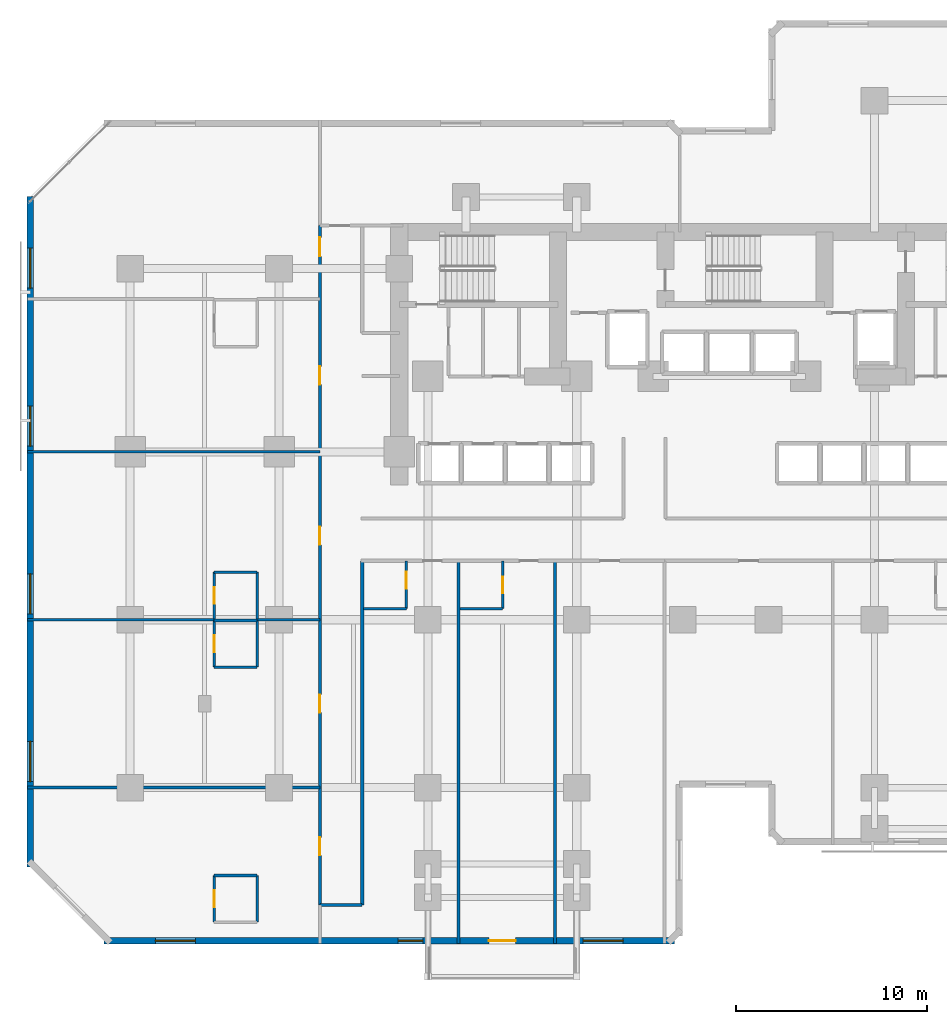
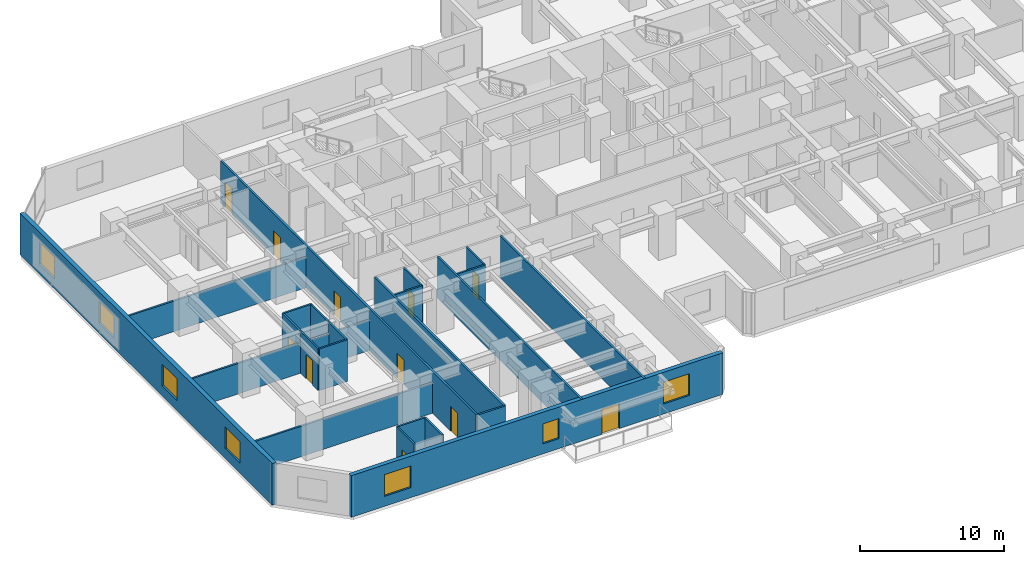
# One storey, part 5 of 12: 25 walls, 11 doors, 7 windows, 18 openings.
"""IFC4 building model written with IfcOpenShell, lengths in metres."""

from ifc_helpers import new_model, si_unit, direction, frame, frame_2d, origin, place, context, subcontext, project, spatial, rectangle, extrude, material, layer, layer_set, type_object, element, fill, save


model = new_model("IFC4")

# Units and contexts
model_context = context("Model", 3, precision=1e-05, world=origin(), true_north=direction((0.0, 1.0)))
body_context = subcontext(model_context, "Body", "Model", "MODEL_VIEW")
ifc_project = project(units=[si_unit("LENGTHUNIT", "METRE"), si_unit("AREAUNIT", "SQUARE_METRE"), si_unit("VOLUMEUNIT", "CUBIC_METRE"), si_unit("PLANEANGLEUNIT", "RADIAN"), si_unit("MASSUNIT", "GRAM", prefix="KILO")], contexts=[model_context])

# Site, building, storey
site_placement = place(None, origin())
site = spatial("IfcSite", under=ifc_project, at=site_placement, CompositionType="ELEMENT")
building_placement = place(site_placement, origin())
building = spatial("IfcBuilding", under=site, at=building_placement, Name="Kestravale Grand Hotel", CompositionType="ELEMENT")
storey_placement = place(building_placement, frame((0.0, 0.0, 56.39990234375)))
storey = spatial("IfcBuildingStorey", under=building, at=storey_placement, Name="L13", CompositionType="ELEMENT", Elevation=56.39990234375)

# Wall, openings, door, windows
ifc_material_1 = material(Name="Precast concrete f'c 45 MPa", Category="concrete")
ifc_layer_1 = layer(ifc_material_1, 0.340087890625)
ifc_layer_set_1 = layer_set([ifc_layer_1], Name="EW-PREC-340")
wall_type_1 = type_object("IfcWallType", Name="EW-PREC-340", PredefinedType="SOLIDWALL", material=ifc_layer_set_1)
wall_1_placement = place(storey_placement, frame((6.429931640625, 3.169921875, 0.0), z_axis=(0.0, 0.0, 1.0), x_axis=(1.0, 0.0, 0.0)))
wall_1 = element("IfcWall", 1, at=wall_1_placement, inside=storey, type_object=wall_type_1, Name="L13 fluted precast facade wall 1", PredefinedType="SOLIDWALL", context=body_context, shape_type="SweptSolid", body=[
    extrude(rectangle(XDim=29.89013671875, YDim=0.340087890625, at=frame_2d((14.945068359375, 0.0))), origin(), (0.0, 0.0, 1.0), 3.5400390625),
])
opening_1_placement = place(wall_1_placement, frame((20.169921875, 0.0, 0.0)))
opening_1 = element("IfcOpeningElement", 2, at=opening_1_placement, cuts=wall_1, Name="Opening D-TERR-1400", PredefinedType="OPENING", context=body_context, shape_type="SweptSolid", body=[
    extrude(rectangle(XDim=1.39990234375, YDim=2.14990234375, at=frame_2d((0.699951171875, 1.074951171875))), frame((0.0, 0.179931640625, 0.0), z_axis=(0.0, -1.0, 0.0), x_axis=(1.0, 0.0, 0.0)), (0.0, 0.0, 1.0), 0.360107421875),
])
opening_2_placement = place(wall_1_placement, frame((2.686279296875, 0.0, 0.85009765625)))
opening_2 = element("IfcOpeningElement", 3, at=opening_2_placement, cuts=wall_1, Name="Opening W-GUEST-2100", PredefinedType="OPENING", context=body_context, shape_type="SweptSolid", body=[
    extrude(rectangle(XDim=2.10009765625, YDim=1.85009765625, at=frame_2d((1.050048828125, 0.925048828125))), frame((0.0, 0.179931640625, 0.0), z_axis=(0.0, -1.0, 0.0), x_axis=(1.0, 0.0, 0.0)), (0.0, 0.0, 1.0), 0.360107421875),
])
opening_3_placement = place(wall_1_placement, frame((25.103759765625, 0.0, 0.85009765625)))
opening_3 = element("IfcOpeningElement", 4, at=opening_3_placement, cuts=wall_1, Name="Opening W-GUEST-2100", PredefinedType="OPENING", context=body_context, shape_type="SweptSolid", body=[
    extrude(rectangle(XDim=2.10009765625, YDim=1.85009765625, at=frame_2d((1.050048828125, 0.925048828125))), frame((0.0, 0.179931640625, 0.0), z_axis=(0.0, -1.0, 0.0), x_axis=(1.0, 0.0, 0.0)), (0.0, 0.0, 1.0), 0.360107421875),
])
opening_4_placement = place(wall_1_placement, frame((15.405029296875, 0.0, 0.85009765625)))
opening_4 = element("IfcOpeningElement", 5, at=opening_4_placement, cuts=wall_1, Name="Opening W-GUEST-1300", PredefinedType="OPENING", context=body_context, shape_type="SweptSolid", body=[
    extrude(rectangle(XDim=1.300048828125, YDim=1.699951171875, at=frame_2d((0.64990234375, 0.85009765625))), frame((0.0, 0.179931640625, 0.0), z_axis=(0.0, -1.0, 0.0), x_axis=(1.0, 0.0, 0.0)), (0.0, 0.0, 1.0), 0.360107421875),
])
ifc_material_2 = material(Name="Insulated glazed champagne-bronze aluminium door", Category="aluminium")
door_type_1 = type_object("IfcDoorType", Name="D-TERR-1400", OperationType="NOTDEFINED", PredefinedType="DOOR", material=ifc_material_2)
door_1_placement = place(opening_1_placement, origin())
door_1 = element("IfcDoor", 6, at=door_1_placement, inside=storey, type_object=door_type_1, Name="L13 outdoor garden terrace door", OperationType="DOUBLE_DOOR_SINGLE_SWING", OverallHeight=2.14990234375, OverallWidth=1.39990234375, PredefinedType="DOOR", context=body_context, shape_type="SweptSolid", body=[
    extrude(rectangle(XDim=1.39990234375, YDim=2.14990234375, at=frame_2d((0.699951171875, 1.074951171875))), frame((0.0, 0.02490234375, 0.0), z_axis=(0.0, -1.0, 0.0), x_axis=(1.0, 0.0, 0.0)), (0.0, 0.0, 1.0), 0.050048828125),
])
fill(opening_1, door_1)
ifc_material_3 = material(Name="Insulated low-E double glazing in aluminium frame", Category="aluminium")
window_type_1 = type_object("IfcWindowType", Name="W-GUEST-1300", PartitioningType="SINGLE_PANEL", PredefinedType="WINDOW", material=ifc_material_3)
window_1_placement = place(opening_4_placement, origin())
window_1 = element("IfcWindow", 7, at=window_1_placement, inside=storey, type_object=window_type_1, Name="L13 guestroom envelope window 1", OverallHeight=1.699951171875, OverallWidth=1.300048828125, PartitioningType="SINGLE_PANEL", PredefinedType="WINDOW", context=body_context, shape_type="SweptSolid", body=[
    extrude(rectangle(XDim=1.300048828125, YDim=1.699951171875, at=frame_2d((0.64990234375, 0.85009765625))), frame((0.0, 0.030029296875, 0.0), z_axis=(0.0, -1.0, 0.0), x_axis=(1.0, 0.0, 0.0)), (0.0, 0.0, 1.0), 0.06005859375),
])
fill(opening_4, window_1)
ifc_material_4 = material(Name="Insulated low-E double glazing in aluminium frame", Category="aluminium")
window_type_2 = type_object("IfcWindowType", Name="W-GUEST-2100", PartitioningType="DOUBLE_PANEL_VERTICAL", PredefinedType="WINDOW", material=ifc_material_4)
window_2_placement = place(opening_2_placement, origin())
window_2 = element("IfcWindow", 8, at=window_2_placement, inside=storey, type_object=window_type_2, Name="L13 exterior window 1.1", OverallHeight=1.85009765625, OverallWidth=2.10009765625, PartitioningType="SINGLE_PANEL", PredefinedType="WINDOW", context=body_context, shape_type="SweptSolid", body=[
    extrude(rectangle(XDim=2.10009765625, YDim=1.85009765625, at=frame_2d((1.050048828125, 0.925048828125))), frame((0.0, 0.030029296875, 0.0), z_axis=(0.0, -1.0, 0.0), x_axis=(1.0, 0.0, 0.0)), (0.0, 0.0, 1.0), 0.06005859375),
])
fill(opening_2, window_2)
window_3_placement = place(opening_3_placement, origin())
window_3 = element("IfcWindow", 9, at=window_3_placement, inside=storey, type_object=window_type_2, Name="L13 exterior window 1.2", OverallHeight=1.85009765625, OverallWidth=2.10009765625, PartitioningType="SINGLE_PANEL", PredefinedType="WINDOW", context=body_context, shape_type="SweptSolid", body=[
    extrude(rectangle(XDim=2.10009765625, YDim=1.85009765625, at=frame_2d((1.050048828125, 0.925048828125))), frame((0.0, 0.030029296875, 0.0), z_axis=(0.0, -1.0, 0.0), x_axis=(1.0, 0.0, 0.0)), (0.0, 0.0, 1.0), 0.06005859375),
])
fill(opening_3, window_3)

# Wall, openings, windows
wall_2_placement = place(storey_placement, frame((2.570068359375, 42.169921875, 0.0), z_axis=(0.0, 0.0, 1.0), x_axis=(0.0, -1.0, 0.0)))
wall_2 = element("IfcWall", 10, at=wall_2_placement, inside=storey, type_object=wall_type_1, Name="L13 fluted precast facade wall 19", PredefinedType="SOLIDWALL", context=body_context, shape_type="SweptSolid", body=[
    extrude(rectangle(XDim=35.139892578125, YDim=0.340087890625, at=frame_2d((17.56982421875, 0.0))), origin(), (0.0, 0.0, 1.0), 3.5400390625),
])
opening_5_placement = place(wall_2_placement, frame((2.6923828125, 0.0, 0.85009765625)))
opening_5 = element("IfcOpeningElement", 11, at=opening_5_placement, cuts=wall_2, Name="Opening W-GUEST-2100", PredefinedType="OPENING", context=body_context, shape_type="SweptSolid", body=[
    extrude(rectangle(XDim=2.10009765625, YDim=1.85009765625, at=frame_2d((1.050048828125, 0.925048828125))), frame((0.0, 0.179931640625, 0.0), z_axis=(0.0, -1.0, 0.0), x_axis=(1.0, 0.0, 0.0)), (0.0, 0.0, 1.0), 0.360107421875),
])
opening_6_placement = place(wall_2_placement, frame((10.9775390625, 0.0, 0.85009765625)))
opening_6 = element("IfcOpeningElement", 12, at=opening_6_placement, cuts=wall_2, Name="Opening W-GUEST-2100", PredefinedType="OPENING", context=body_context, shape_type="SweptSolid", body=[
    extrude(rectangle(XDim=2.10009765625, YDim=1.85009765625, at=frame_2d((1.050048828125, 0.925048828125))), frame((0.0, 0.179931640625, 0.0), z_axis=(0.0, -1.0, 0.0), x_axis=(1.0, 0.0, 0.0)), (0.0, 0.0, 1.0), 0.360107421875),
])
opening_7_placement = place(wall_2_placement, frame((19.762451171875, 0.0, 0.85009765625)))
opening_7 = element("IfcOpeningElement", 13, at=opening_7_placement, cuts=wall_2, Name="Opening W-GUEST-2100", PredefinedType="OPENING", context=body_context, shape_type="SweptSolid", body=[
    extrude(rectangle(XDim=2.10009765625, YDim=1.85009765625, at=frame_2d((1.050048828125, 0.925048828125))), frame((0.0, 0.179931640625, 0.0), z_axis=(0.0, -1.0, 0.0), x_axis=(1.0, 0.0, 0.0)), (0.0, 0.0, 1.0), 0.360107421875),
])
opening_8_placement = place(wall_2_placement, frame((28.547607421875, 0.0, 0.85009765625)))
opening_8 = element("IfcOpeningElement", 14, at=opening_8_placement, cuts=wall_2, Name="Opening W-GUEST-2100", PredefinedType="OPENING", context=body_context, shape_type="SweptSolid", body=[
    extrude(rectangle(XDim=2.10009765625, YDim=1.85009765625, at=frame_2d((1.050048828125, 0.925048828125))), frame((0.0, 0.179931640625, 0.0), z_axis=(0.0, -1.0, 0.0), x_axis=(1.0, 0.0, 0.0)), (0.0, 0.0, 1.0), 0.360107421875),
])
window_4_placement = place(opening_5_placement, origin())
window_4 = element("IfcWindow", 15, at=window_4_placement, inside=storey, type_object=window_type_2, Name="L13 exterior window 19.1", OverallHeight=1.85009765625, OverallWidth=2.10009765625, PartitioningType="SINGLE_PANEL", PredefinedType="WINDOW", context=body_context, shape_type="SweptSolid", body=[
    extrude(rectangle(XDim=2.10009765625, YDim=1.85009765625, at=frame_2d((1.050048828125, 0.925048828125))), frame((0.0, 0.030029296875, 0.0), z_axis=(0.0, -1.0, 0.0), x_axis=(1.0, 0.0, 0.0)), (0.0, 0.0, 1.0), 0.06005859375),
])
fill(opening_5, window_4)
window_5_placement = place(opening_6_placement, origin())
window_5 = element("IfcWindow", 16, at=window_5_placement, inside=storey, type_object=window_type_2, Name="L13 exterior window 19.2", OverallHeight=1.85009765625, OverallWidth=2.10009765625, PartitioningType="SINGLE_PANEL", PredefinedType="WINDOW", context=body_context, shape_type="SweptSolid", body=[
    extrude(rectangle(XDim=2.10009765625, YDim=1.85009765625, at=frame_2d((1.050048828125, 0.925048828125))), frame((0.0, 0.030029296875, 0.0), z_axis=(0.0, -1.0, 0.0), x_axis=(1.0, 0.0, 0.0)), (0.0, 0.0, 1.0), 0.06005859375),
])
fill(opening_6, window_5)
window_6_placement = place(opening_7_placement, origin())
window_6 = element("IfcWindow", 17, at=window_6_placement, inside=storey, type_object=window_type_2, Name="L13 exterior window 19.3", OverallHeight=1.85009765625, OverallWidth=2.10009765625, PartitioningType="SINGLE_PANEL", PredefinedType="WINDOW", context=body_context, shape_type="SweptSolid", body=[
    extrude(rectangle(XDim=2.10009765625, YDim=1.85009765625, at=frame_2d((1.050048828125, 0.925048828125))), frame((0.0, 0.030029296875, 0.0), z_axis=(0.0, -1.0, 0.0), x_axis=(1.0, 0.0, 0.0)), (0.0, 0.0, 1.0), 0.06005859375),
])
fill(opening_7, window_6)
window_7_placement = place(opening_8_placement, origin())
window_7 = element("IfcWindow", 18, at=window_7_placement, inside=storey, type_object=window_type_2, Name="L13 exterior window 19.4", OverallHeight=1.85009765625, OverallWidth=2.10009765625, PartitioningType="SINGLE_PANEL", PredefinedType="WINDOW", context=body_context, shape_type="SweptSolid", body=[
    extrude(rectangle(XDim=2.10009765625, YDim=1.85009765625, at=frame_2d((1.050048828125, 0.925048828125))), frame((0.0, 0.030029296875, 0.0), z_axis=(0.0, -1.0, 0.0), x_axis=(1.0, 0.0, 0.0)), (0.0, 0.0, 1.0), 0.06005859375),
])
fill(opening_8, window_7)

# Wall, openings, doors
ifc_material_5 = material(Name="Acoustic fire-rated gypsum board partition", Category="other")
ifc_layer_2 = layer(ifc_material_5, 0.159912109375)
ifc_layer_set_2 = layer_set([ifc_layer_2], Name="IW-CORR-160")
wall_type_2 = type_object("IfcWallType", Name="IW-CORR-160", PredefinedType="PARTITIONING", material=ifc_layer_set_2)
wall_3_placement = place(storey_placement, frame((17.739990234375, 5.050048828125, 0.0), z_axis=(0.0, 0.0, 1.0), x_axis=(0.0, 1.0, 0.0)))
wall_3 = element("IfcWall", 19, at=wall_3_placement, inside=storey, type_object=wall_type_2, Name="W-L13-SW-W", PredefinedType="PARTITIONING", context=body_context, shape_type="SweptSolid", body=[
    extrude(rectangle(XDim=35.599853515625, YDim=0.159912109375, at=frame_2d((17.7998046875, 0.0))), origin(), (0.0, 0.0, 1.0), 3.5400390625),
])
opening_9_placement = place(wall_3_placement, frame((2.60009765625, 0.0, 0.0)))
opening_9 = element("IfcOpeningElement", 20, at=opening_9_placement, cuts=wall_3, Name="Opening D-GUEST-950", PredefinedType="OPENING", context=body_context, shape_type="SweptSolid", body=[
    extrude(rectangle(XDim=0.949951171875, YDim=2.10009765625, at=frame_2d((0.47509765625, 1.050048828125))), frame((0.0, 0.08984375, 0.0), z_axis=(0.0, -1.0, 0.0), x_axis=(1.0, 0.0, 0.0)), (0.0, 0.0, 1.0), 0.179931640625),
])
opening_10_placement = place(wall_3_placement, frame((10.074951171875, 0.0, 0.0)))
opening_10 = element("IfcOpeningElement", 21, at=opening_10_placement, cuts=wall_3, Name="Opening D-GUEST-950", PredefinedType="OPENING", context=body_context, shape_type="SweptSolid", body=[
    extrude(rectangle(XDim=0.949951171875, YDim=2.10009765625, at=frame_2d((0.47509765625, 1.050048828125))), frame((0.0, 0.08984375, 0.0), z_axis=(0.0, -1.0, 0.0), x_axis=(1.0, 0.0, 0.0)), (0.0, 0.0, 1.0), 0.179931640625),
])
opening_11_placement = place(wall_3_placement, frame((18.875, 0.0, 0.0)))
opening_11 = element("IfcOpeningElement", 22, at=opening_11_placement, cuts=wall_3, Name="Opening D-GUEST-950", PredefinedType="OPENING", context=body_context, shape_type="SweptSolid", body=[
    extrude(rectangle(XDim=0.949951171875, YDim=2.10009765625, at=frame_2d((0.47509765625, 1.050048828125))), frame((0.0, 0.08984375, 0.0), z_axis=(0.0, -1.0, 0.0), x_axis=(1.0, 0.0, 0.0)), (0.0, 0.0, 1.0), 0.179931640625),
])
opening_12_placement = place(wall_3_placement, frame((27.27490234375, 0.0, 0.0)))
opening_12 = element("IfcOpeningElement", 23, at=opening_12_placement, cuts=wall_3, Name="Opening D-GUEST-950", PredefinedType="OPENING", context=body_context, shape_type="SweptSolid", body=[
    extrude(rectangle(XDim=0.949951171875, YDim=2.10009765625, at=frame_2d((0.47509765625, 1.050048828125))), frame((0.0, 0.08984375, 0.0), z_axis=(0.0, -1.0, 0.0), x_axis=(1.0, 0.0, 0.0)), (0.0, 0.0, 1.0), 0.179931640625),
])
opening_13_placement = place(wall_3_placement, frame((33.985595703125, 0.0, 0.0)))
opening_13 = element("IfcOpeningElement", 24, at=opening_13_placement, cuts=wall_3, Name="Opening D-GUEST-1000", PredefinedType="OPENING", context=body_context, shape_type="SweptSolid", body=[
    extrude(rectangle(XDim=1.0, YDim=2.14990234375, at=frame_2d((0.5, 1.074951171875))), frame((0.0, 0.08984375, 0.0), z_axis=(0.0, -1.0, 0.0), x_axis=(1.0, 0.0, 0.0)), (0.0, 0.0, 1.0), 0.179931640625),
])
ifc_material_6 = material(Name="Accessible walnut veneer hotel entrance fire door", Category="wood")
door_type_2 = type_object("IfcDoorType", Name="D-GUEST-1000", OperationType="NOTDEFINED", PredefinedType="DOOR", material=ifc_material_6)
door_2_placement = place(opening_13_placement, origin())
door_2 = element("IfcDoor", 25, at=door_2_placement, inside=storey, type_object=door_type_2, Name="D-L13-AMWW", OperationType="SINGLE_SWING_LEFT", OverallHeight=2.14990234375, OverallWidth=1.0, PredefinedType="DOOR", context=body_context, shape_type="SweptSolid", body=[
    extrude(rectangle(XDim=1.0, YDim=2.14990234375, at=frame_2d((0.5, 1.074951171875))), frame((0.0, 0.02490234375, 0.0), z_axis=(0.0, -1.0, 0.0), x_axis=(1.0, 0.0, 0.0)), (0.0, 0.0, 1.0), 0.050048828125),
])
fill(opening_13, door_2)
ifc_material_7 = material(Name="Walnut veneer hotel guestroom entrance fire door", Category="wood")
door_type_3 = type_object("IfcDoorType", Name="D-GUEST-950", OperationType="NOTDEFINED", PredefinedType="DOOR", material=ifc_material_7)
door_3_placement = place(opening_9_placement, origin())
door_3 = element("IfcDoor", 26, at=door_3_placement, inside=storey, type_object=door_type_3, Name="D-L13-U05-ENT", OperationType="SINGLE_SWING_RIGHT", OverallHeight=2.10009765625, OverallWidth=0.949951171875, PredefinedType="DOOR", context=body_context, shape_type="SweptSolid", body=[
    extrude(rectangle(XDim=0.949951171875, YDim=2.10009765625, at=frame_2d((0.47509765625, 1.050048828125))), frame((0.0, 0.02490234375, 0.0), z_axis=(0.0, -1.0, 0.0), x_axis=(1.0, 0.0, 0.0)), (0.0, 0.0, 1.0), 0.050048828125),
])
fill(opening_9, door_3)
door_4_placement = place(opening_10_placement, origin())
door_4 = element("IfcDoor", 27, at=door_4_placement, inside=storey, type_object=door_type_3, Name="D-L13-U06-ENT", OperationType="SINGLE_SWING_RIGHT", OverallHeight=2.10009765625, OverallWidth=0.949951171875, PredefinedType="DOOR", context=body_context, shape_type="SweptSolid", body=[
    extrude(rectangle(XDim=0.949951171875, YDim=2.10009765625, at=frame_2d((0.47509765625, 1.050048828125))), frame((0.0, 0.02490234375, 0.0), z_axis=(0.0, -1.0, 0.0), x_axis=(1.0, 0.0, 0.0)), (0.0, 0.0, 1.0), 0.050048828125),
])
fill(opening_10, door_4)
door_5_placement = place(opening_11_placement, origin())
door_5 = element("IfcDoor", 28, at=door_5_placement, inside=storey, type_object=door_type_3, Name="D-L13-U07-ENT", OperationType="SINGLE_SWING_RIGHT", OverallHeight=2.10009765625, OverallWidth=0.949951171875, PredefinedType="DOOR", context=body_context, shape_type="SweptSolid", body=[
    extrude(rectangle(XDim=0.949951171875, YDim=2.10009765625, at=frame_2d((0.47509765625, 1.050048828125))), frame((0.0, 0.02490234375, 0.0), z_axis=(0.0, -1.0, 0.0), x_axis=(1.0, 0.0, 0.0)), (0.0, 0.0, 1.0), 0.050048828125),
])
fill(opening_11, door_5)
door_6_placement = place(opening_12_placement, origin())
door_6 = element("IfcDoor", 29, at=door_6_placement, inside=storey, type_object=door_type_3, Name="D-L13-U08-ENT", OperationType="SINGLE_SWING_RIGHT", OverallHeight=2.10009765625, OverallWidth=0.949951171875, PredefinedType="DOOR", context=body_context, shape_type="SweptSolid", body=[
    extrude(rectangle(XDim=0.949951171875, YDim=2.10009765625, at=frame_2d((0.47509765625, 1.050048828125))), frame((0.0, 0.02490234375, 0.0), z_axis=(0.0, -1.0, 0.0), x_axis=(1.0, 0.0, 0.0)), (0.0, 0.0, 1.0), 0.050048828125),
])
fill(opening_12, door_6)

# Wall
wall_4_placement = place(storey_placement, frame((19.9599609375, 5.050048828125, 0.0), z_axis=(0.0, 0.0, 1.0), x_axis=(0.0, 1.0, 0.0)))
element("IfcWall", 30, at=wall_4_placement, inside=storey, type_object=wall_type_2, Name="W-L13-SW-E", PredefinedType="PARTITIONING", context=body_context, shape_type="SweptSolid", body=[
    extrude(rectangle(XDim=18.0400390625, YDim=0.159912109375, at=frame_2d((9.02001953125, 0.0))), origin(), (0.0, 0.0, 1.0), 3.5400390625),
])

# Wall, opening, door
ifc_material_8 = material(Name="Moisture-resistant tile-backer plumbing chase wall", Category="other")
ifc_layer_3 = layer(ifc_material_8, 0.139892578125)
ifc_layer_set_3 = layer_set([ifc_layer_3], Name="IW-PLB-140")
wall_type_3 = type_object("IfcWallType", Name="IW-PLB-140", PredefinedType="PLUMBINGWALL", material=ifc_layer_set_3)
wall_5_placement = place(storey_placement, frame((22.27001953125, 20.580078125, 0.0), z_axis=(0.0, 0.0, 1.0), x_axis=(0.0, 1.0, 0.0)))
wall_5 = element("IfcWall", 31, at=wall_5_placement, inside=storey, type_object=wall_type_3, Name="W-L13-U01-BE", PredefinedType="PLUMBINGWALL", context=body_context, shape_type="SweptSolid", body=[
    extrude(rectangle(XDim=2.489990234375, YDim=0.139892578125, at=frame_2d((1.2451171875, 0.0))), origin(), (0.0, 0.0, 1.0), 3.5400390625),
])
opening_14_placement = place(wall_5_placement, frame((1.055908203125, 0.0, 0.0)))
opening_14 = element("IfcOpeningElement", 32, at=opening_14_placement, cuts=wall_5, Name="Opening D-BATH-880", PredefinedType="OPENING", context=body_context, shape_type="SweptSolid", body=[
    extrude(rectangle(XDim=0.8798828125, YDim=2.050048828125, at=frame_2d((0.43994140625, 1.02490234375))), frame((0.0, 0.079833984375, 0.0), z_axis=(0.0, -1.0, 0.0), x_axis=(1.0, 0.0, 0.0)), (0.0, 0.0, 1.0), 0.159912109375),
])
ifc_material_9 = material(Name="Moisture-sealed walnut en-suite bathroom door", Category="wood")
door_type_4 = type_object("IfcDoorType", Name="D-BATH-880", OperationType="NOTDEFINED", PredefinedType="DOOR", material=ifc_material_9)
door_7_placement = place(opening_14_placement, origin())
door_7 = element("IfcDoor", 33, at=door_7_placement, inside=storey, type_object=door_type_4, Name="D-L13-U01-BATH", OperationType="SINGLE_SWING_LEFT", OverallHeight=2.050048828125, OverallWidth=0.8798828125, PredefinedType="DOOR", context=body_context, shape_type="SweptSolid", body=[
    extrude(rectangle(XDim=0.8798828125, YDim=2.050048828125, at=frame_2d((0.43994140625, 1.02490234375))), frame((0.0, 0.02490234375, 0.0), z_axis=(0.0, -1.0, 0.0), x_axis=(1.0, 0.0, 0.0)), (0.0, 0.0, 1.0), 0.050048828125),
])
fill(opening_14, door_7)

# Wall
wall_6_placement = place(storey_placement, frame((20.02001953125, 20.580078125, 0.0), z_axis=(0.0, 0.0, 1.0), x_axis=(1.0, 0.0, 0.0)))
element("IfcWall", 34, at=wall_6_placement, inside=storey, type_object=wall_type_3, Name="W-L13-U01-BS", PredefinedType="PLUMBINGWALL", context=body_context, shape_type="SweptSolid", body=[
    extrude(rectangle(XDim=2.25, YDim=0.139892578125, at=frame_2d((1.125, 0.0))), origin(), (0.0, 0.0, 1.0), 3.5400390625),
])

# Wall, opening, door
wall_7_placement = place(storey_placement, frame((27.320068359375, 20.580078125, 0.0), z_axis=(0.0, 0.0, 1.0), x_axis=(0.0, 1.0, 0.0)))
wall_7 = element("IfcWall", 35, at=wall_7_placement, inside=storey, type_object=wall_type_3, Name="W-L13-U02-BE", PredefinedType="PLUMBINGWALL", context=body_context, shape_type="SweptSolid", body=[
    extrude(rectangle(XDim=2.489990234375, YDim=0.139892578125, at=frame_2d((1.2451171875, 0.0))), origin(), (0.0, 0.0, 1.0), 3.5400390625),
])
opening_15_placement = place(wall_7_placement, frame((0.804931640625, 0.0, 0.0)))
opening_15 = element("IfcOpeningElement", 36, at=opening_15_placement, cuts=wall_7, Name="Opening D-BATH-880", PredefinedType="OPENING", context=body_context, shape_type="SweptSolid", body=[
    extrude(rectangle(XDim=0.8798828125, YDim=2.050048828125, at=frame_2d((0.43994140625, 1.02490234375))), frame((0.0, 0.079833984375, 0.0), z_axis=(0.0, -1.0, 0.0), x_axis=(1.0, 0.0, 0.0)), (0.0, 0.0, 1.0), 0.159912109375),
])
door_8_placement = place(opening_15_placement, origin())
door_8 = element("IfcDoor", 37, at=door_8_placement, inside=storey, type_object=door_type_4, Name="D-L13-U02-BATH", OperationType="SINGLE_SWING_LEFT", OverallHeight=2.050048828125, OverallWidth=0.8798828125, PredefinedType="DOOR", context=body_context, shape_type="SweptSolid", body=[
    extrude(rectangle(XDim=0.8798828125, YDim=2.050048828125, at=frame_2d((0.43994140625, 1.02490234375))), frame((0.0, 0.02490234375, 0.0), z_axis=(0.0, -1.0, 0.0), x_axis=(1.0, 0.0, 0.0)), (0.0, 0.0, 1.0), 0.050048828125),
])
fill(opening_15, door_8)

# Wall
wall_8_placement = place(storey_placement, frame((25.070068359375, 20.580078125, 0.0), z_axis=(0.0, 0.0, 1.0), x_axis=(1.0, 0.0, 0.0)))
element("IfcWall", 38, at=wall_8_placement, inside=storey, type_object=wall_type_3, Name="W-L13-U02-BS", PredefinedType="PLUMBINGWALL", context=body_context, shape_type="SweptSolid", body=[
    extrude(rectangle(XDim=2.25, YDim=0.139892578125, at=frame_2d((1.125, 0.0))), origin(), (0.0, 0.0, 1.0), 3.5400390625),
])

# Wall, opening, door
wall_9_placement = place(storey_placement, frame((12.199951171875, 4.14990234375, 0.0), z_axis=(0.0, 0.0, 1.0), x_axis=(0.0, 1.0, 0.0)))
wall_9 = element("IfcWall", 39, at=wall_9_placement, inside=storey, type_object=wall_type_3, Name="W-L13-U05-BW", PredefinedType="PLUMBINGWALL", context=body_context, shape_type="SweptSolid", body=[
    extrude(rectangle(XDim=2.4501953125, YDim=0.139892578125, at=frame_2d((1.22509765625, 0.0))), origin(), (0.0, 0.0, 1.0), 3.5400390625),
])
opening_16_placement = place(wall_9_placement, frame((0.784912109375, 0.0, 0.0)))
opening_16 = element("IfcOpeningElement", 40, at=opening_16_placement, cuts=wall_9, Name="Opening D-BATH-880", PredefinedType="OPENING", context=body_context, shape_type="SweptSolid", body=[
    extrude(rectangle(XDim=0.8798828125, YDim=2.050048828125, at=frame_2d((0.43994140625, 1.02490234375))), frame((0.0, 0.079833984375, 0.0), z_axis=(0.0, -1.0, 0.0), x_axis=(1.0, 0.0, 0.0)), (0.0, 0.0, 1.0), 0.159912109375),
])
door_9_placement = place(opening_16_placement, origin())
door_9 = element("IfcDoor", 41, at=door_9_placement, inside=storey, type_object=door_type_4, Name="D-L13-U05-BATH", OperationType="SINGLE_SWING_LEFT", OverallHeight=2.050048828125, OverallWidth=0.8798828125, PredefinedType="DOOR", context=body_context, shape_type="SweptSolid", body=[
    extrude(rectangle(XDim=0.8798828125, YDim=2.050048828125, at=frame_2d((0.43994140625, 1.02490234375))), frame((0.0, 0.02490234375, 0.0), z_axis=(0.0, -1.0, 0.0), x_axis=(1.0, 0.0, 0.0)), (0.0, 0.0, 1.0), 0.050048828125),
])
fill(opening_16, door_9)

# Walls
wall_10_placement = place(storey_placement, frame((14.449951171875, 4.14990234375, 0.0), z_axis=(0.0, 0.0, 1.0), x_axis=(0.0, 1.0, 0.0)))
element("IfcWall", 42, at=wall_10_placement, inside=storey, type_object=wall_type_3, Name="W-L13-U05-BE", PredefinedType="PLUMBINGWALL", context=body_context, shape_type="SweptSolid", body=[
    extrude(rectangle(XDim=2.4501953125, YDim=0.139892578125, at=frame_2d((1.22509765625, 0.0))), origin(), (0.0, 0.0, 1.0), 3.5400390625),
])
wall_11_placement = place(storey_placement, frame((12.199951171875, 6.60009765625, 0.0), z_axis=(0.0, 0.0, 1.0), x_axis=(1.0, 0.0, 0.0)))
element("IfcWall", 43, at=wall_11_placement, inside=storey, type_object=wall_type_3, Name="W-L13-U05-BN", PredefinedType="PLUMBINGWALL", context=body_context, shape_type="SweptSolid", body=[
    extrude(rectangle(XDim=2.25, YDim=0.139892578125, at=frame_2d((1.125, 0.0))), origin(), (0.0, 0.0, 1.0), 3.5400390625),
])

# Wall, opening, door
wall_12_placement = place(storey_placement, frame((12.199951171875, 17.510009765625, 0.0), z_axis=(0.0, 0.0, 1.0), x_axis=(0.0, 1.0, 0.0)))
wall_12 = element("IfcWall", 44, at=wall_12_placement, inside=storey, type_object=wall_type_3, Name="W-L13-U06-BW", PredefinedType="PLUMBINGWALL", context=body_context, shape_type="SweptSolid", body=[
    extrude(rectangle(XDim=2.449951171875, YDim=0.139892578125, at=frame_2d((1.22509765625, 0.0))), origin(), (0.0, 0.0, 1.0), 3.5400390625),
])
opening_17_placement = place(wall_12_placement, frame((0.784912109375, 0.0, 0.0)))
opening_17 = element("IfcOpeningElement", 45, at=opening_17_placement, cuts=wall_12, Name="Opening D-BATH-880", PredefinedType="OPENING", context=body_context, shape_type="SweptSolid", body=[
    extrude(rectangle(XDim=0.8798828125, YDim=2.050048828125, at=frame_2d((0.43994140625, 1.02490234375))), frame((0.0, 0.079833984375, 0.0), z_axis=(0.0, -1.0, 0.0), x_axis=(1.0, 0.0, 0.0)), (0.0, 0.0, 1.0), 0.159912109375),
])
door_10_placement = place(opening_17_placement, origin())
door_10 = element("IfcDoor", 46, at=door_10_placement, inside=storey, type_object=door_type_4, Name="D-L13-U06-BATH", OperationType="SINGLE_SWING_LEFT", OverallHeight=2.050048828125, OverallWidth=0.8798828125, PredefinedType="DOOR", context=body_context, shape_type="SweptSolid", body=[
    extrude(rectangle(XDim=0.8798828125, YDim=2.050048828125, at=frame_2d((0.43994140625, 1.02490234375))), frame((0.0, 0.02490234375, 0.0), z_axis=(0.0, -1.0, 0.0), x_axis=(1.0, 0.0, 0.0)), (0.0, 0.0, 1.0), 0.050048828125),
])
fill(opening_17, door_10)

# Walls
wall_13_placement = place(storey_placement, frame((14.449951171875, 17.510009765625, 0.0), z_axis=(0.0, 0.0, 1.0), x_axis=(0.0, 1.0, 0.0)))
element("IfcWall", 47, at=wall_13_placement, inside=storey, type_object=wall_type_3, Name="W-L13-U06-BE", PredefinedType="PLUMBINGWALL", context=body_context, shape_type="SweptSolid", body=[
    extrude(rectangle(XDim=2.449951171875, YDim=0.139892578125, at=frame_2d((1.22509765625, 0.0))), origin(), (0.0, 0.0, 1.0), 3.5400390625),
])
wall_14_placement = place(storey_placement, frame((12.199951171875, 17.510009765625, 0.0), z_axis=(0.0, 0.0, 1.0), x_axis=(1.0, 0.0, 0.0)))
element("IfcWall", 48, at=wall_14_placement, inside=storey, type_object=wall_type_3, Name="W-L13-U06-BS", PredefinedType="PLUMBINGWALL", context=body_context, shape_type="SweptSolid", body=[
    extrude(rectangle(XDim=2.25, YDim=0.139892578125, at=frame_2d((1.125, 0.0))), origin(), (0.0, 0.0, 1.0), 3.5400390625),
])
wall_15_placement = place(storey_placement, frame((12.199951171875, 19.9599609375, 0.0), z_axis=(0.0, 0.0, 1.0), x_axis=(1.0, 0.0, 0.0)))
element("IfcWall", 49, at=wall_15_placement, inside=storey, type_object=wall_type_3, Name="W-L13-U06-BN", PredefinedType="PLUMBINGWALL", context=body_context, shape_type="SweptSolid", body=[
    extrude(rectangle(XDim=2.25, YDim=0.139892578125, at=frame_2d((1.125, 0.0))), origin(), (0.0, 0.0, 1.0), 2.593017578125),
])

# Wall, opening, door
wall_16_placement = place(storey_placement, frame((12.199951171875, 20.0400390625, 0.0), z_axis=(0.0, 0.0, 1.0), x_axis=(0.0, 1.0, 0.0)))
wall_16 = element("IfcWall", 50, at=wall_16_placement, inside=storey, type_object=wall_type_3, Name="W-L13-U07-BW", PredefinedType="PLUMBINGWALL", context=body_context, shape_type="SweptSolid", body=[
    extrude(rectangle(XDim=2.449951171875, YDim=0.139892578125, at=frame_2d((1.22509765625, 0.0))), origin(), (0.0, 0.0, 1.0), 3.5400390625),
])
opening_18_placement = place(wall_16_placement, frame((0.784912109375, 0.0, 0.0)))
opening_18 = element("IfcOpeningElement", 51, at=opening_18_placement, cuts=wall_16, Name="Opening D-BATH-880", PredefinedType="OPENING", context=body_context, shape_type="SweptSolid", body=[
    extrude(rectangle(XDim=0.8798828125, YDim=2.050048828125, at=frame_2d((0.43994140625, 1.02490234375))), frame((0.0, 0.079833984375, 0.0), z_axis=(0.0, -1.0, 0.0), x_axis=(1.0, 0.0, 0.0)), (0.0, 0.0, 1.0), 0.159912109375),
])
door_11_placement = place(opening_18_placement, origin())
door_11 = element("IfcDoor", 52, at=door_11_placement, inside=storey, type_object=door_type_4, Name="D-L13-U07-BATH", OperationType="SINGLE_SWING_LEFT", OverallHeight=2.050048828125, OverallWidth=0.8798828125, PredefinedType="DOOR", context=body_context, shape_type="SweptSolid", body=[
    extrude(rectangle(XDim=0.8798828125, YDim=2.050048828125, at=frame_2d((0.43994140625, 1.02490234375))), frame((0.0, 0.02490234375, 0.0), z_axis=(0.0, -1.0, 0.0), x_axis=(1.0, 0.0, 0.0)), (0.0, 0.0, 1.0), 0.050048828125),
])
fill(opening_18, door_11)

# Walls
wall_17_placement = place(storey_placement, frame((14.449951171875, 20.0400390625, 0.0), z_axis=(0.0, 0.0, 1.0), x_axis=(0.0, 1.0, 0.0)))
element("IfcWall", 53, at=wall_17_placement, inside=storey, type_object=wall_type_3, Name="W-L13-U07-BE", PredefinedType="PLUMBINGWALL", context=body_context, shape_type="SweptSolid", body=[
    extrude(rectangle(XDim=2.449951171875, YDim=0.139892578125, at=frame_2d((1.22509765625, 0.0))), origin(), (0.0, 0.0, 1.0), 3.5400390625),
])
wall_18_placement = place(storey_placement, frame((12.199951171875, 22.489990234375, 0.0), z_axis=(0.0, 0.0, 1.0), x_axis=(1.0, 0.0, 0.0)))
element("IfcWall", 54, at=wall_18_placement, inside=storey, type_object=wall_type_3, Name="W-L13-U07-BN", PredefinedType="PLUMBINGWALL", context=body_context, shape_type="SweptSolid", body=[
    extrude(rectangle(XDim=2.25, YDim=0.139892578125, at=frame_2d((1.125, 0.0))), origin(), (0.0, 0.0, 1.0), 3.5400390625),
])
ifc_material_10 = material(Name="Double-stud STC 52 acoustic demising partition", Category="other")
ifc_layer_4 = layer(ifc_material_10, 0.14990234375)
ifc_layer_set_4 = layer_set([ifc_layer_4], Name="IW-UNIT-150")
wall_type_4 = type_object("IfcWallType", Name="IW-UNIT-150", PredefinedType="PARTITIONING", material=ifc_layer_set_4)
wall_19_placement = place(storey_placement, frame((17.739990234375, 5.050048828125, 0.0), z_axis=(0.0, 0.0, 1.0), x_axis=(1.0, 0.0, 0.0)))
element("IfcWall", 55, at=wall_19_placement, inside=storey, type_object=wall_type_4, Name="W-L13-SW-S", PredefinedType="PARTITIONING", context=body_context, shape_type="SweptSolid", body=[
    extrude(rectangle(XDim=2.219970703125, YDim=0.14990234375, at=frame_2d((1.10986328125, 0.0))), origin(), (0.0, 0.0, 1.0), 3.5400390625),
])
for number, where, z_axis, x_axis, name in (
    (56, (25.010009765625, 3.02001953125, 0.0), (0.0, 0.0, 1.0), (0.0, 1.0, 0.0), "W-L13-WS-1"),
    (57, (30.06005859375, 3.02001953125, 0.0), (0.0, 0.0, 1.0), (0.0, 1.0, 0.0), "W-L13-WS-2"),
):
    element("IfcWall", number, at=place(storey_placement, frame(where, z_axis=z_axis, x_axis=x_axis)), inside=storey, type_object=wall_type_4, Name=name, PredefinedType="PARTITIONING", context=body_context, shape_type="SweptSolid", body=[
        extrude(rectangle(XDim=20.070068359375, YDim=0.14990234375, at=frame_2d((10.03515625, 0.0))), origin(), (0.0, 0.0, 1.0), 3.5400390625),
    ])
wall_20_placement = place(storey_placement, frame((2.419921875, 11.199951171875, 0.0), z_axis=(0.0, 0.0, 1.0), x_axis=(1.0, 0.0, 0.0)))
element("IfcWall", 58, at=wall_20_placement, inside=storey, type_object=wall_type_4, Name="W-L13-WW-1", PredefinedType="PARTITIONING", context=body_context, shape_type="SweptSolid", body=[
    extrude(rectangle(XDim=15.320068359375, YDim=0.14990234375, at=frame_2d((7.66015625, 0.0))), origin(), (0.0, 0.0, 1.0), 2.593017578125),
])
wall_21_placement = place(storey_placement, frame((2.419921875, 20.0, 0.0), z_axis=(0.0, 0.0, 1.0), x_axis=(1.0, 0.0, 0.0)))
element("IfcWall", 59, at=wall_21_placement, inside=storey, type_object=wall_type_4, Name="W-L13-WW-2", PredefinedType="PARTITIONING", context=body_context, shape_type="SweptSolid", body=[
    extrude(rectangle(XDim=9.780029296875, YDim=0.14990234375, at=frame_2d((4.89013671875, 0.0))), origin(), (0.0, 0.0, 1.0), 2.593017578125),
])
wall_22_placement = place(storey_placement, frame((14.449951171875, 20.0, 0.0), z_axis=(0.0, 0.0, 1.0), x_axis=(1.0, 0.0, 0.0)))
element("IfcWall", 60, at=wall_22_placement, inside=storey, type_object=wall_type_4, Name="W-L13-WW-2", PredefinedType="PARTITIONING", context=body_context, shape_type="SweptSolid", body=[
    extrude(rectangle(XDim=3.2900390625, YDim=0.14990234375, at=frame_2d((1.64501953125, 0.0))), origin(), (0.0, 0.0, 1.0), 2.593017578125),
])
wall_23_placement = place(storey_placement, frame((2.419921875, 28.800048828125, 0.0), z_axis=(0.0, 0.0, 1.0), x_axis=(1.0, 0.0, 0.0)))
element("IfcWall", 61, at=wall_23_placement, inside=storey, type_object=wall_type_4, Name="W-L13-WW-3", PredefinedType="PARTITIONING", context=body_context, shape_type="SweptSolid", body=[
    extrude(rectangle(XDim=15.320068359375, YDim=0.14990234375, at=frame_2d((7.66015625, 0.0))), origin(), (0.0, 0.0, 1.0), 2.593017578125),
])

save(model, "model.ifc")
